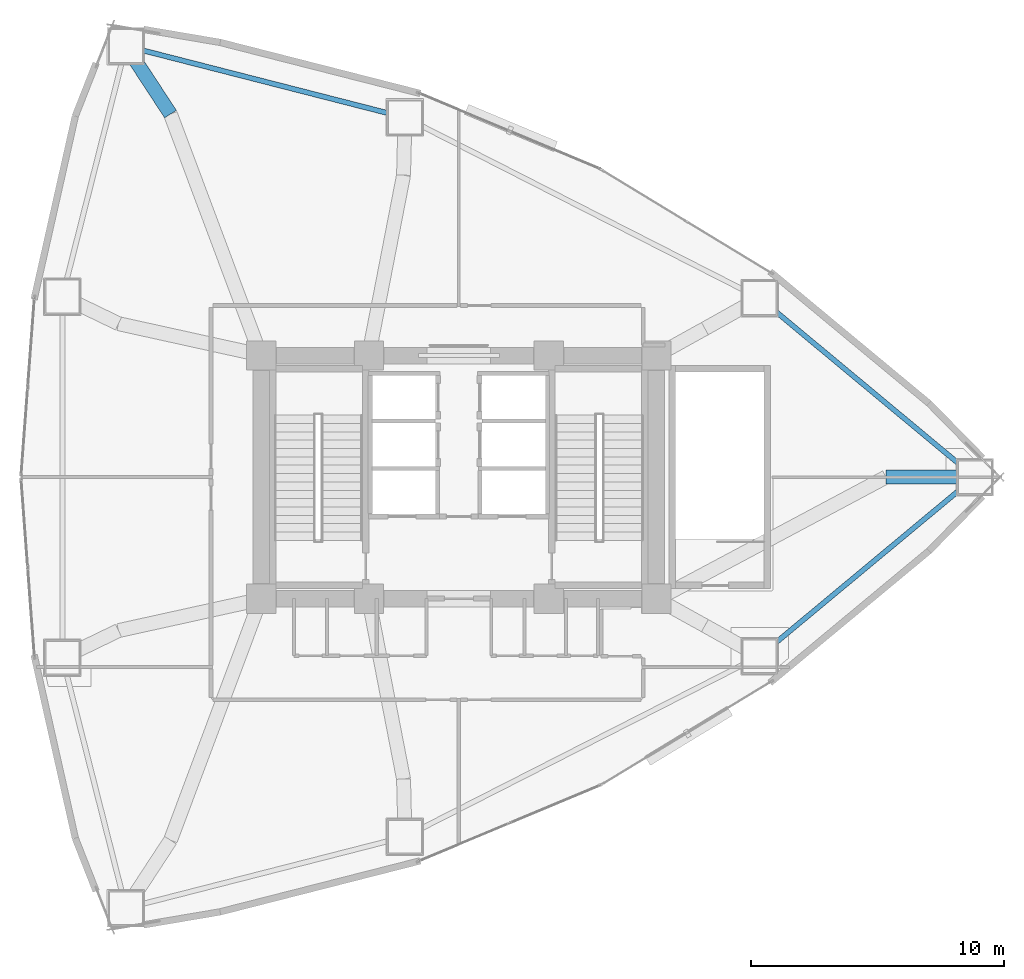
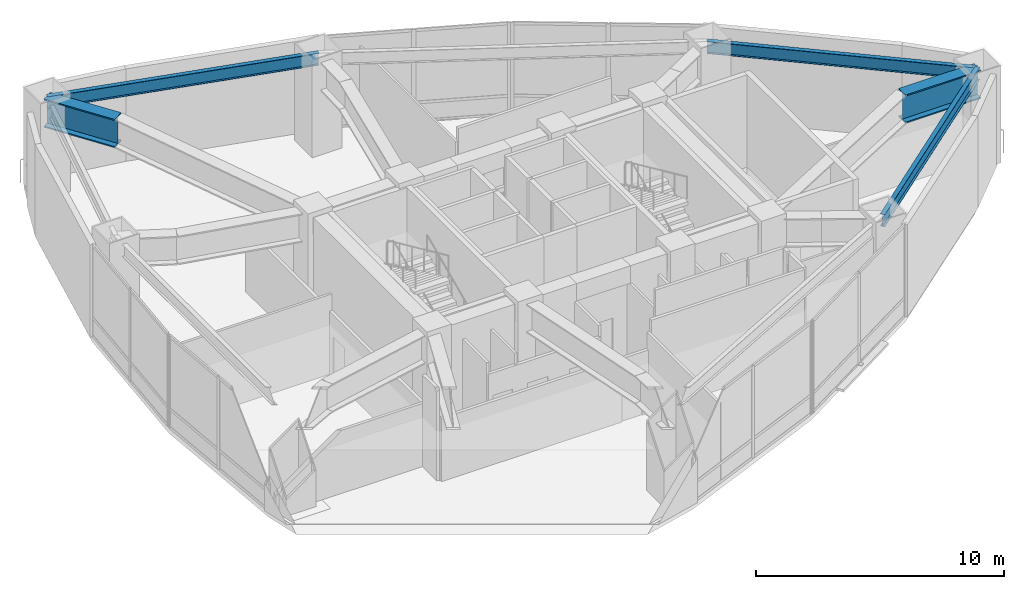
# One storey, part 13 of 19: 5 beams.
"""IFC4 building model written with IfcOpenShell, lengths in metres."""

import ifcopenshell
import ifcopenshell.guid

model = None  # the IFC model being written
_history = None  # IfcOwnerHistory: only IFC2X3 demands one
_inside = {}  # id of a spatial element -> (the spatial element, [elements in it])
_under = {}  # id of a project, library or spatial element -> (it, [spatial elements below it])
_declared = {}  # id of a project -> (the project, [libraries it declares])
_typed = {}  # id of a type object -> (the type object, [elements of that type])
_made_of = {}  # id of a material, layer set ... -> (it, [elements and type objects made of it])


def new_model(schema):
    """Start an empty IFC model of exactly this schema.

    Asked for "IFC4X3", IfcOpenShell would pick the latest addendum, in which some entities
    have other attributes; the version numbers below select the first issue.
    IFC2X3 requires an IfcOwnerHistory on every rooted entity: one is made here for all.
    """
    global model, _history
    if schema == "IFC4X3":
        model = ifcopenshell.file(schema_version=(4, 3, 0, 0))
    else:
        model = ifcopenshell.file(schema=schema)
    _inside.clear()
    _under.clear()
    _declared.clear()
    _typed.clear()
    _made_of.clear()
    _history = None
    if model.schema == "IFC2X3":
        org = make("IfcOrganization", Name="unknown")
        user = make(
            "IfcPersonAndOrganization",
            ThePerson=make("IfcPerson", FamilyName="unknown"),
            TheOrganization=org,
        )
        app = make(
            "IfcApplication",
            ApplicationDeveloper=org,
            Version="unknown",
            ApplicationFullName="unknown",
            ApplicationIdentifier="unknown",
        )
        _history = make(
            "IfcOwnerHistory",
            OwningUser=user,
            OwningApplication=app,
            ChangeAction="ADDED",
            CreationDate=0,
        )
    return model


def make(cls, **values):
    """One entity of the class cls with the attributes given. An attribute that is None is left unset."""
    return model.create_entity(
        cls, **{name: value for name, value in values.items() if value is not None}
    )


def rooted(cls, **values):
    """An entity with a GlobalId (a new one), such as an element, a storey or a relation."""
    return make(cls, GlobalId=ifcopenshell.guid.new(), OwnerHistory=_history, **values)


def si_unit(unit_type, name, prefix=None):
    """IfcSIUnit, for example si_unit("LENGTHUNIT", "METRE", prefix="MILLI")."""
    return make("IfcSIUnit", UnitType=unit_type, Prefix=prefix, Name=name)


def assignment(units):
    """IfcUnitAssignment: the units of a project."""
    return None if units is None else make("IfcUnitAssignment", Units=units)


def point(xyz):
    """IfcCartesianPoint."""
    return None if xyz is None else make("IfcCartesianPoint", Coordinates=xyz)


def direction(xyz):
    """IfcDirection."""
    return None if xyz is None else make("IfcDirection", DirectionRatios=xyz)


def frame(location, z_axis=None, x_axis=None):
    """IfcAxis2Placement3D, a coordinate frame: its origin and axes. An axis left out is left unset."""
    return make(
        "IfcAxis2Placement3D",
        Location=point(location),
        Axis=direction(z_axis),
        RefDirection=direction(x_axis),
    )


def frame_2d(location, x_axis=None):
    """IfcAxis2Placement2D, a coordinate frame in the plane: its origin and x axis."""
    return make(
        "IfcAxis2Placement2D", Location=point(location), RefDirection=direction(x_axis)
    )


def origin():
    """The frame at (0, 0, 0) with its axes left unset."""
    return frame((0.0, 0.0, 0.0))


def origin_2d():
    """The frame at (0, 0) in the plane with its x axis left unset."""
    return frame_2d((0.0, 0.0))


def place(relative_to, where):
    """IfcLocalPlacement: puts the frame where relative to a parent placement (None: the world)."""
    return make(
        "IfcLocalPlacement", PlacementRelTo=relative_to, RelativePlacement=where
    )


def context(
    kind, dimensions, precision=None, world=None, true_north=None, identifier=None
):
    """IfcGeometricRepresentationContext, for example the 3D "Model" context."""
    return make(
        "IfcGeometricRepresentationContext",
        ContextIdentifier=identifier,
        ContextType=kind,
        CoordinateSpaceDimension=dimensions,
        Precision=precision,
        WorldCoordinateSystem=world,
        TrueNorth=true_north,
    )


def subcontext(parent, identifier, kind, view, scale=None):
    """IfcGeometricRepresentationSubContext, for example "Body" below "Model"."""
    return make(
        "IfcGeometricRepresentationSubContext",
        ContextIdentifier=identifier,
        ContextType=kind,
        ParentContext=parent,
        TargetScale=scale,
        TargetView=view,
    )


def project(units=None, contexts=None):
    """IfcProject with its units and contexts."""
    return rooted(
        "IfcProject",
        Name="project",
        RepresentationContexts=contexts,
        UnitsInContext=assignment(units),
    )


def spatial(cls, under=None, at=None, **own):
    """A site, building, storey or space (cls), placed at a placement, below another one or the project."""
    s = rooted(cls, ObjectPlacement=at, **own)
    if under is not None:
        _under.setdefault(under.id(), (under, []))[1].append(s)
    return s


def profile(cls, at=None, kind="AREA", **sizes):
    """A parametric profile (cls). Its sizes go by their IFC names, for example OverallWidth=200.0."""
    return make(cls, ProfileType=kind, Position=at, **sizes)


def i_section(**sizes):
    """IfcIShapeProfileDef."""
    return profile("IfcIShapeProfileDef", **sizes)


def extrude(swept, where, along, depth):
    """IfcExtrudedAreaSolid: the profile swept, set in the frame where, extruded along a direction by depth."""
    return make(
        "IfcExtrudedAreaSolid",
        SweptArea=swept,
        Position=where,
        ExtrudedDirection=direction(along),
        Depth=depth,
    )


def shape(context_of_items, identifier, shape_type, items):
    """IfcShapeRepresentation: the items that make up one representation, for example the "Body"."""
    return make(
        "IfcShapeRepresentation",
        ContextOfItems=context_of_items,
        RepresentationIdentifier=identifier,
        RepresentationType=shape_type,
        Items=items,
    )


def material(Name=None, Category=None):
    """IfcMaterial."""
    return make("IfcMaterial", Name=Name, Category=Category)


def material_profile(
    of_material, cross_section, Name=None, Category=None, Priority=None
):
    """IfcMaterialProfile: a cross section and its material."""
    return make(
        "IfcMaterialProfile",
        Name=Name,
        Material=of_material,
        Profile=cross_section,
        Priority=Priority,
        Category=Category,
    )


def profile_set(profiles, Name=None, composite=None):
    """IfcMaterialProfileSet."""
    return make(
        "IfcMaterialProfileSet",
        Name=Name,
        MaterialProfiles=profiles,
        CompositeProfile=composite,
    )


def made_of(thing, what):
    """Note that an element or type object is made of a material, layer set ...; save() writes the relation."""
    if what is not None:
        _made_of.setdefault(what.id(), (what, []))[1].append(thing)
    return thing


def type_object(cls, material=None, **own):
    """A type object (cls), such as IfcWallType, which elements share."""
    return made_of(rooted(cls, **own), material)


def element(
    cls,
    number,
    at=None,
    inside=None,
    cuts=None,
    type_object=None,
    material=None,
    context=None,
    identifier="Body",
    shape_type=None,
    held_by="IfcProductDefinitionShape",
    body=None,
    shapes=None,
    **own,
):
    """One element of the class cls, such as IfcWall. Its Tag is "e" and its number.

    at: its placement. inside: the storey or other place that contains it. cuts: it is an
    opening in that element (IfcRelVoidsElement). A single representation is given by context,
    identifier, shape_type and body (its items); several are given by shapes. held_by: the class
    of the entity that holds the representations. save() writes the other relations.
    """
    e = rooted(cls, Tag="e%d" % number, ObjectPlacement=at, **own)
    if body is not None:
        shapes = [shape(context, identifier, shape_type, body)]
    if shapes is not None:
        e.Representation = make(held_by, Representations=shapes)
    if inside is not None:
        _inside.setdefault(inside.id(), (inside, []))[1].append(e)
    if cuts is not None:
        rooted(
            "IfcRelVoidsElement", RelatingBuildingElement=cuts, RelatedOpeningElement=e
        )
    if type_object is not None:
        _typed.setdefault(type_object.id(), (type_object, []))[1].append(e)
    return made_of(e, material)


def aggregate(whole, parts):
    """IfcRelAggregates: a whole, such as a stair, and the parts it consists of."""
    return rooted("IfcRelAggregates", RelatingObject=whole, RelatedObjects=parts)


def save(model, path):
    """Write the relations noted so far, then the file.

    IfcRelAggregates (storeys below a building ...), IfcRelContainedInSpatialStructure (elements
    in a storey), IfcRelDefinesByType, IfcRelAssociatesMaterial and IfcRelDeclares: one each for
    every whole, place, type object, material and project.
    """
    for whole, parts in _under.values():
        aggregate(whole, parts)
    for where, things in _inside.values():
        rooted(
            "IfcRelContainedInSpatialStructure",
            RelatedElements=things,
            RelatingStructure=where,
        )
    for kind, things in _typed.values():
        rooted("IfcRelDefinesByType", RelatedObjects=things, RelatingType=kind)
    for what, things in _made_of.values():
        rooted("IfcRelAssociatesMaterial", RelatedObjects=things, RelatingMaterial=what)
    for by, libraries in _declared.values():
        rooted("IfcRelDeclares", RelatingContext=by, RelatedDefinitions=libraries)
    model.write(path)


model = new_model("IFC4")

# Units and contexts
model_context = context("Model", 3, precision=1e-05, world=origin(), true_north=direction((0.0, 1.0)))
body_context = subcontext(model_context, "Body", "Model", "MODEL_VIEW")
ifc_project = project(units=[si_unit("LENGTHUNIT", "METRE"), si_unit("AREAUNIT", "SQUARE_METRE"), si_unit("VOLUMEUNIT", "CUBIC_METRE"), si_unit("PLANEANGLEUNIT", "RADIAN"), si_unit("MASSUNIT", "GRAM", prefix="KILO")], contexts=[model_context])

# Site, building, storey
site_placement = place(None, origin())
site = spatial("IfcSite", under=ifc_project, at=site_placement, CompositionType="ELEMENT")
building_placement = place(site_placement, origin())
building = spatial("IfcBuilding", under=site, at=building_placement, Name="Menara Vayukalpa", CompositionType="ELEMENT")
storey_placement = place(building_placement, frame((0.0, 0.0, 22.800048828125)))
storey = spatial("IfcBuildingStorey", under=building, at=storey_placement, Name="L04", CompositionType="ELEMENT", Elevation=22.800048828125)

# Beams
ifc_material_1 = material(Name="Steel S355", Category="steel")
ifc_material_profile_1 = material_profile(ifc_material_1, i_section(OverallWidth=0.199951171875, OverallDepth=0.60009765625, WebThickness=0.010986328125, FlangeThickness=0.01708984375, at=origin_2d()), Name="WF 600x200x11x17")
ifc_profile_set_1 = profile_set([ifc_material_profile_1], Name="Steel S355")
beam_type_1 = type_object("IfcBeamType", Name="BM-SP1", PredefinedType="SPANDREL", material=ifc_profile_set_1)
beam_1_placement = place(storey_placement, frame((45.979248046875, 22.0, 4.25), z_axis=(-0.768967992195, 0.639287280477, 0.0), x_axis=(-0.639287280477, -0.768967992195, 0.0)))
element("IfcBeam", 1, at=beam_1_placement, inside=storey, type_object=beam_type_1, Name="L04 Perimeter Spandrel Beam SP01", PredefinedType="SPANDREL", context=body_context, shape_type="SweptSolid", body=[
    extrude(i_section(OverallWidth=0.199951171875, OverallDepth=0.60009765625, WebThickness=0.010986328125, FlangeThickness=0.01708984375, at=origin_2d()), origin(), (0.0, 0.0, 1.0), 11.060546875),
])
beam_2_placement = place(storey_placement, frame((23.4755859375, 36.19970703125, 4.25), z_axis=(-0.968770804637, 0.247957915953, 0.0), x_axis=(-0.247957915953, -0.968770804637, 0.0)))
element("IfcBeam", 2, at=beam_2_placement, inside=storey, type_object=beam_type_1, Name="L04 Perimeter Spandrel Beam SP03", PredefinedType="SPANDREL", context=body_context, shape_type="SweptSolid", body=[
    extrude(i_section(OverallWidth=0.199951171875, OverallDepth=0.60009765625, WebThickness=0.010986328125, FlangeThickness=0.01708984375, at=origin_2d()), origin(), (0.0, 0.0, 1.0), 11.3701171875),
])
beam_3_placement = place(storey_placement, frame((37.47412109375, 14.92919921875, 4.25), z_axis=(0.768967992195, 0.639287280477, 0.0), x_axis=(-0.639287280477, 0.768967992195, 0.0)))
element("IfcBeam", 3, at=beam_3_placement, inside=storey, type_object=beam_type_1, Name="L04 Perimeter Spandrel Beam SP09", PredefinedType="SPANDREL", context=body_context, shape_type="SweptSolid", body=[
    extrude(i_section(OverallWidth=0.199951171875, OverallDepth=0.60009765625, WebThickness=0.010986328125, FlangeThickness=0.01708984375, at=origin_2d()), origin(), (0.0, 0.0, 1.0), 11.060546875),
])
ifc_material_2 = material(Name="Steel S460", Category="steel")
ifc_material_profile_2 = material_profile(ifc_material_2, i_section(OverallWidth=0.550048828125, OverallDepth=1.39990234375, WebThickness=0.031982421875, FlangeThickness=0.06005859375, at=origin_2d()), Name="WG 1400x550x32x60")
ifc_profile_set_2 = profile_set([ifc_material_profile_2], Name="Steel S460")
beam_type_2 = type_object("IfcBeamType", Name="BM-TG1", PredefinedType="BEAM", material=ifc_profile_set_2)
beam_4_placement = place(storey_placement, frame((42.46484375, 22.0, 3.849853515625), z_axis=(1.0, 0.0, 0.0), x_axis=(0.0, 1.0, 0.0)))
element("IfcBeam", 4, at=beam_4_placement, inside=storey, type_object=beam_type_2, Name="L04 Radial Transfer Girder Outer 01", PredefinedType="BEAM", context=body_context, shape_type="SweptSolid", body=[
    extrude(i_section(OverallWidth=0.550048828125, OverallDepth=1.39990234375, WebThickness=0.031982421875, FlangeThickness=0.06005859375, at=origin_2d()), origin(), (0.0, 0.0, 1.0), 3.514404296875),
])
beam_5_placement = place(storey_placement, frame((14.217529296875, 36.33447265625, 3.849853515625), z_axis=(-0.547638835024, 0.83671482978, 0.0), x_axis=(-0.83671482978, -0.547638835024, 0.0)))
element("IfcBeam", 5, at=beam_5_placement, inside=storey, type_object=beam_type_2, Name="L04 Radial Transfer Girder Outer 04", PredefinedType="BEAM", context=body_context, shape_type="SweptSolid", body=[
    extrude(i_section(OverallWidth=0.550048828125, OverallDepth=1.39990234375, WebThickness=0.031982421875, FlangeThickness=0.06005859375, at=origin_2d()), origin(), (0.0, 0.0, 1.0), 3.20849609375),
])

save(model, "model.ifc")
